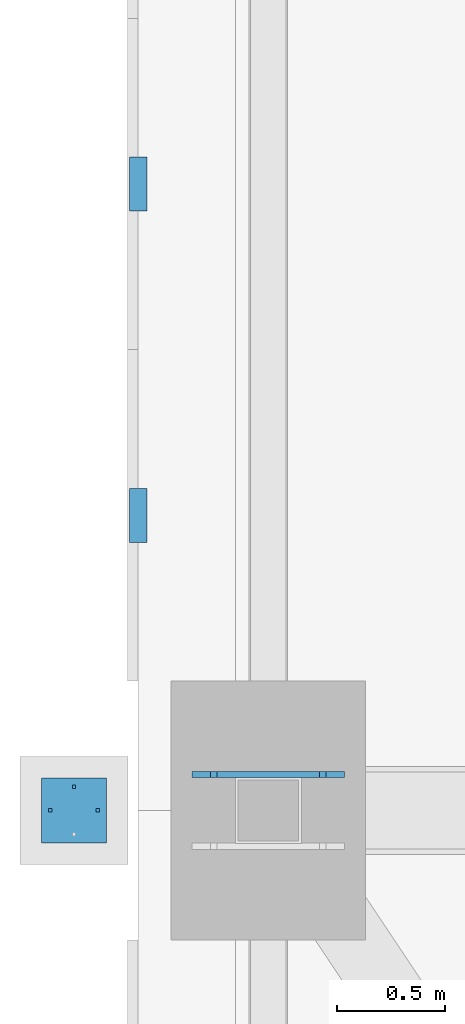
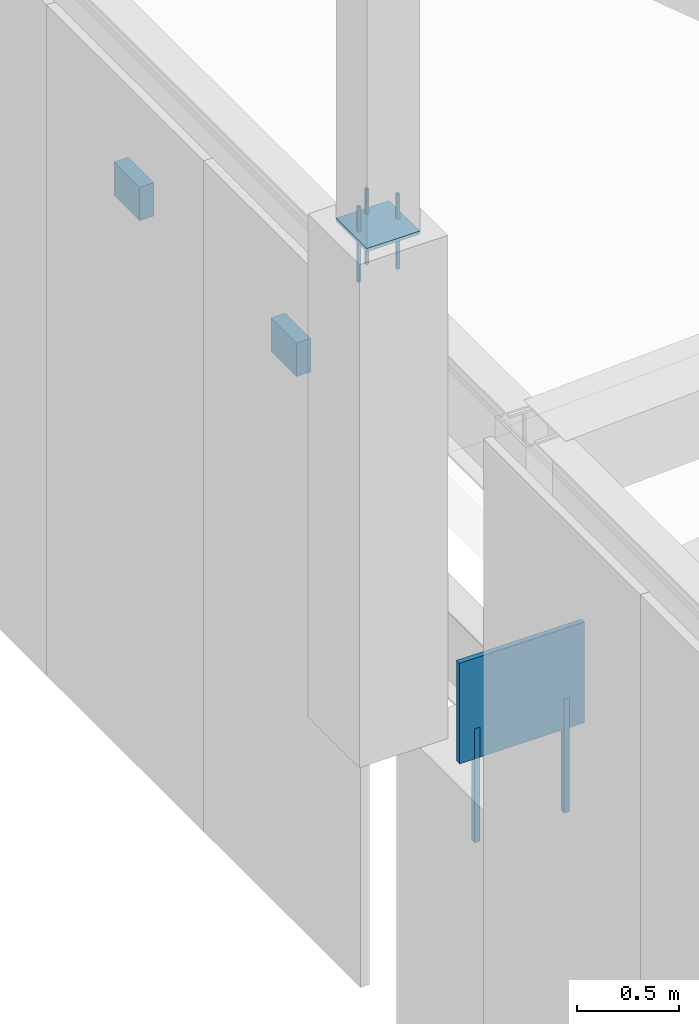
# One storey, part 160 of 278: 5 mechanical fasteners, 4 discrete accessories.
"""IFC4 building model written with IfcOpenShell, lengths in metres."""

from ifc_helpers import new_model, si_unit, direction, frame, origin, origin_2d, place, context, subcontext, project, spatial, rectangle, extrude, material, layer, layer_set, type_object, element, save


model = new_model("IFC4")

# Units and contexts
model_context = context("Model", 3, precision=1e-05, world=origin(), true_north=direction((0.0, 1.0)))
body_context = subcontext(model_context, "Body", "Model", "MODEL_VIEW")
ifc_project = project(units=[si_unit("LENGTHUNIT", "METRE"), si_unit("AREAUNIT", "SQUARE_METRE"), si_unit("VOLUMEUNIT", "CUBIC_METRE"), si_unit("PLANEANGLEUNIT", "RADIAN"), si_unit("MASSUNIT", "GRAM", prefix="KILO")], contexts=[model_context])

# Site, building, storey
site_placement = place(None, origin())
site = spatial("IfcSite", under=ifc_project, at=site_placement, CompositionType="ELEMENT")
building_placement = place(site_placement, origin())
building = spatial("IfcBuilding", under=site, at=building_placement, Name="Ogive Plaza Stadium", CompositionType="ELEMENT")
storey_placement = place(building_placement, frame((0.0, 0.0, 29.0)))
storey = spatial("IfcBuildingStorey", under=building, at=storey_placement, Name="Roof", CompositionType="ELEMENT", Elevation=29.0)

# Mechanical fasteners
ifc_material_1 = material(Name="Steel ASTM A992 Grade 50", Category="steel")
mechanical_fastener_type_1 = type_object("IfcMechanicalFastenerType", Name="Anchor bolt M30 x 600", PredefinedType="ANCHORBOLT", material=ifc_material_1)
for number, where, z_axis, x_axis, name in (
    (1, (-84.25244140625, -7.33349609375, 3.0), (0.0, 0.0, 1.0), (-1.0, 0.0, 0.0), "ANCHOR BOLT 24 BF 2.1"),
    (2, (-83.74755859375, -7.33349609375, 3.0), (0.0, 0.0, 1.0), (-1.0, 0.0, 0.0), "ANCHOR BOLT 24 BF 2.2"),
):
    element("IfcMechanicalFastener", number, at=place(storey_placement, frame(where, z_axis=z_axis, x_axis=x_axis)), inside=storey, type_object=mechanical_fastener_type_1, Name=name, PredefinedType="ANCHORBOLT", context=body_context, shape_type="SweptSolid", body=[
        extrude(rectangle(XDim=0.030029296875, YDim=0.030029296875, at=origin_2d()), origin(), (0.0, 0.0, 1.0), 0.679931640625),
    ])
ifc_material_2 = material(Name="Steel ASTM A992 Grade 50", Category="steel")
mechanical_fastener_type_2 = type_object("IfcMechanicalFastenerType", Name="Spire anchor bolt M16 x 450", PredefinedType="ANCHORBOLT", material=ifc_material_2)
for number, where, z_axis, x_axis, name in (
    (3, (-85.010009765625, -7.5, 6.7001953125), (0.0, 0.0, 1.0), (-1.0, 0.0, 0.0), "SPIRE ANCHOR BOLT 24 1"),
    (4, (-84.7900390625, -7.5, 6.7001953125), (0.0, 0.0, 1.0), (-1.0, 0.0, 0.0), "SPIRE ANCHOR BOLT 24 2"),
    (5, (-84.89990234375, -7.389892578125, 6.7001953125), (0.0, 0.0, 1.0), (-1.0, 0.0, 0.0), "SPIRE ANCHOR BOLT 24 4"),
):
    element("IfcMechanicalFastener", number, at=place(storey_placement, frame(where, z_axis=z_axis, x_axis=x_axis)), inside=storey, type_object=mechanical_fastener_type_2, Name=name, PredefinedType="ANCHORBOLT", context=body_context, shape_type="SweptSolid", body=[
        extrude(rectangle(XDim=0.01611328125, YDim=0.01611328125, at=origin_2d()), origin(), (0.0, 0.0, 1.0), 0.449951171875),
    ])

# Discrete accessories
ifc_material_3 = material(Name="Steel ASTM A992 Grade 50", Category="steel")
ifc_layer_1 = layer(ifc_material_3, 0.02001953125)
ifc_layer_set_1 = layer_set([ifc_layer_1], Name="Steel ASTM A992 Grade 50")
discrete_accessory_type_1 = type_object("IfcDiscreteAccessoryType", Name="Spire seat plate 20", PredefinedType="ANCHORPLATE", material=ifc_layer_set_1)
discrete_accessory_1_placement = place(storey_placement, frame((-84.89990234375, -7.5, 6.98095703125), z_axis=(0.0, 0.0, 1.0), x_axis=(-1.0, 0.0, 0.0)))
element("IfcDiscreteAccessory", 6, at=discrete_accessory_1_placement, inside=storey, type_object=discrete_accessory_type_1, Name="SPIRE SEAT PLATE 24", PredefinedType="ANCHORPLATE", context=body_context, shape_type="SweptSolid", body=[
    extrude(rectangle(XDim=0.300048828125, YDim=0.300048828125, at=origin_2d()), origin(), (0.0, 0.0, 1.0), 0.02001953125),
])
ifc_material_4 = material(Name="Steel ASTM A572 Grade 50", Category="steel")
ifc_layer_2 = layer(ifc_material_4, 0.080078125)
ifc_layer_set_2 = layer_set([ifc_layer_2], Name="Steel ASTM A572 Grade 50")
discrete_accessory_type_2 = type_object("IfcDiscreteAccessoryType", Name="Tracery screen bracket 250x200", PredefinedType="BRACKET", material=ifc_layer_set_2)
for number, where, z_axis, x_axis, name in (
    (7, (-84.602294921875, -6.13330078125, 5.25), (0.0, 0.0, 1.0), (0.0, 1.0, 0.0), "TRACERY SCREEN BRACKET B24 1"),
    (8, (-84.602294921875, -4.60009765625, 5.25), (0.0, 0.0, 1.0), (0.0, 1.0, 0.0), "TRACERY SCREEN BRACKET B24 2"),
):
    element("IfcDiscreteAccessory", number, at=place(storey_placement, frame(where, z_axis=z_axis, x_axis=x_axis)), inside=storey, type_object=discrete_accessory_type_2, Name=name, PredefinedType="BRACKET", context=body_context, shape_type="SweptSolid", body=[
        extrude(rectangle(XDim=0.25, YDim=0.080078125, at=origin_2d()), origin(), (0.0, 0.0, 1.0), 0.199951171875),
    ])
ifc_material_5 = material(Name="Steel ASTM A992 Grade 50", Category="steel")
ifc_layer_3 = layer(ifc_material_5, 0.030029296875)
ifc_layer_set_3 = layer_set([ifc_layer_3], Name="Steel ASTM A992 Grade 50")
discrete_accessory_type_3 = type_object("IfcDiscreteAccessoryType", Name="Truss back-stay foot cleat plate 30", PredefinedType="ANCHORPLATE", material=ifc_layer_set_3)
discrete_accessory_2_placement = place(storey_placement, frame((-84.0, -7.33349609375, 3.5), z_axis=(0.0, 0.0, 1.0), x_axis=(-1.0, 0.0, 0.0)))
element("IfcDiscreteAccessory", 9, at=discrete_accessory_2_placement, inside=storey, type_object=discrete_accessory_type_3, Name="TRUSS BACK-STAY FOOT CLEAT PLATE 24 2", PredefinedType="ANCHORPLATE", context=body_context, shape_type="SweptSolid", body=[
    extrude(rectangle(XDim=0.704833984375, YDim=0.030029296875, at=origin_2d()), origin(), (0.0, 0.0, 1.0), 0.60009765625),
])

save(model, "model.ifc")
